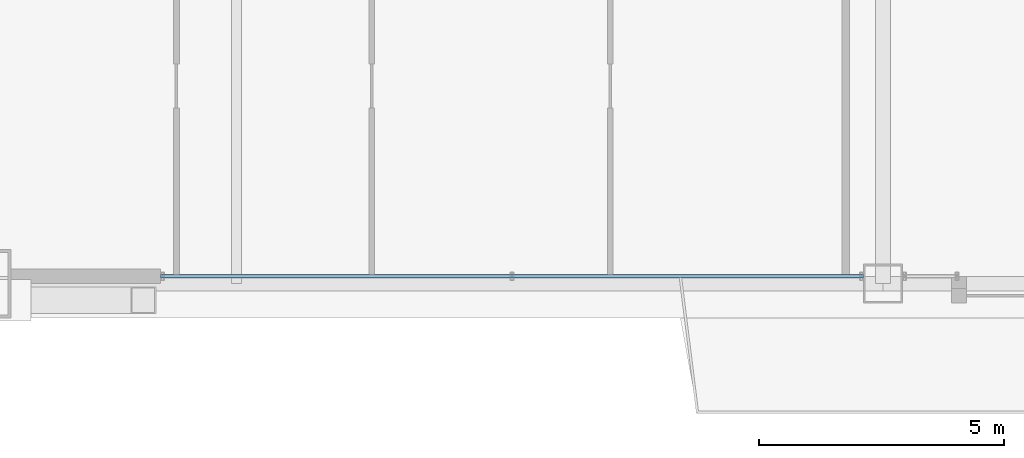
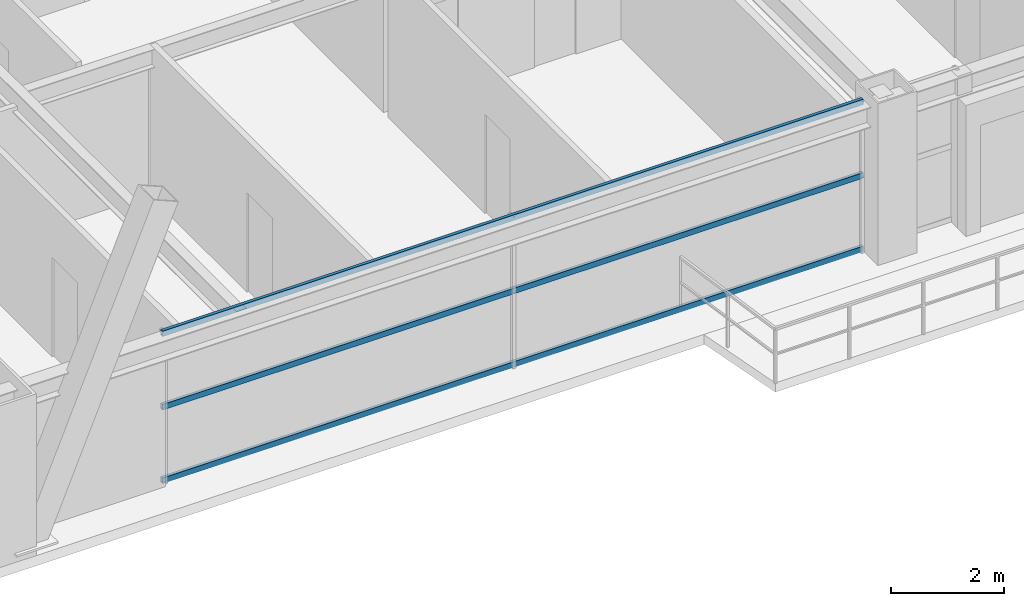
# One storey, part 7 of 45: 3 members, 1 element without a shape of its own.
"""IFC4 building model written with IfcOpenShell, lengths in metres."""

from ifc_helpers import new_model, si_unit, direction, frame, origin, origin_2d, place, context, subcontext, project, spatial, hollow_rectangle, extrude, source, transform, mapped, material, layer, layer_set, material_profile, profile_set, type_object, element, aggregate, save


model = new_model("IFC4")

# Units and contexts
model_context = context("Model", 3, precision=1e-05, world=origin(), true_north=direction((0.0, 1.0)))
body_context = subcontext(model_context, "Body", "Model", "MODEL_VIEW")
ifc_project = project(units=[si_unit("LENGTHUNIT", "METRE"), si_unit("AREAUNIT", "SQUARE_METRE"), si_unit("VOLUMEUNIT", "CUBIC_METRE"), si_unit("PLANEANGLEUNIT", "RADIAN"), si_unit("MASSUNIT", "GRAM", prefix="KILO"), si_unit("THERMODYNAMICTEMPERATUREUNIT", "KELVIN"), si_unit("POWERUNIT", "WATT")], contexts=[model_context])

# Site, building, storey
site_placement = place(None, origin())
site = spatial("IfcSite", under=ifc_project, at=site_placement, CompositionType="ELEMENT")
building_placement = place(site_placement, origin())
building = spatial("IfcBuilding", under=site, at=building_placement, Name="Yuzanri Waterfront Tower", CompositionType="ELEMENT")
storey_placement = place(building_placement, frame((0.0, 0.0, 198.5)))
storey = spatial("IfcBuildingStorey", under=building, at=storey_placement, Name="L52", CompositionType="ELEMENT", Elevation=198.5)

# Curtain wall, members
ifc_material_1 = material(Name="Anodized Architectural Bronze", Category="metal")
ifc_layer = layer(ifc_material_1, 0.159912109375)
ifc_layer_set = layer_set([ifc_layer], Name="Anodized Architectural Bronze")
curtain_wall_type = type_object("IfcCurtainWallType", Name="Anodized Bronze Mid-Rise Residential Acoustic Unitized Curtain Wall 7200", PredefinedType="NOTDEFINED", material=ifc_layer_set)
curtain_wall_placement = place(storey_placement, origin())
curtain_wall = element("IfcCurtainWall", 1, at=curtain_wall_placement, inside=storey, type_object=curtain_wall_type, Name="L52 Curtain Wall CW-L52-SL", PredefinedType="NOTDEFINED")
ifc_material_2 = material(Name="Anodized Architectural Bronze", Category="metal")
ifc_material_profile = material_profile(ifc_material_2, hollow_rectangle(XDim=0.06494140625, YDim=0.1201171875, WallThickness=0.00341796875, at=origin_2d()), Name="CWT 65x120")
ifc_profile_set = profile_set([ifc_material_profile], Name="Anodized Architectural Bronze")
member_type = type_object("IfcMemberType", Name="Anodized Bronze Secondary Curtain-Wall Transom 65x120", PredefinedType="USERDEFINED", material=ifc_profile_set)
shared_shape = source(origin(), body_context, "Body", "SweptSolid", [
    extrude(hollow_rectangle(XDim=0.06494140625, YDim=0.1201171875, WallThickness=0.00341796875, at=origin_2d()), origin(), (0.0, 0.0, 1.0), 14.35009765625),
])
member_1_placement = place(storey_placement, frame((22.25, 3.85009765625, 0.050048828125), z_axis=(1.0, 0.0, 0.0), x_axis=(0.0, 1.0, 0.0)))
member_1 = element("IfcMember", 2, at=member_1_placement, type_object=member_type, Name="CW-L52-SL Transom 1", ObjectType="TRANSOM", PredefinedType="USERDEFINED", context=body_context, shape_type="MappedRepresentation", body=[
    mapped(shared_shape, transform((0.0, 0.0, 0.0), scale=1.0)),
])
member_2_placement = place(storey_placement, frame((22.25, 3.85009765625, 1.639892578125), z_axis=(1.0, 0.0, 0.0), x_axis=(0.0, 1.0, 0.0)))
member_2 = element("IfcMember", 3, at=member_2_placement, type_object=member_type, Name="CW-L52-SL Transom 2", ObjectType="TRANSOM", PredefinedType="USERDEFINED", context=body_context, shape_type="MappedRepresentation", body=[
    mapped(shared_shape, transform((0.0, 0.0, 0.0), scale=1.0)),
])
member_3_placement = place(storey_placement, frame((22.25, 3.85009765625, 3.22998046875), z_axis=(1.0, 0.0, 0.0), x_axis=(0.0, 1.0, 0.0)))
member_3 = element("IfcMember", 4, at=member_3_placement, type_object=member_type, Name="CW-L52-SL Transom 3", ObjectType="TRANSOM", PredefinedType="USERDEFINED", context=body_context, shape_type="MappedRepresentation", body=[
    mapped(shared_shape, transform((0.0, 0.0, 0.0), scale=1.0)),
])
aggregate(curtain_wall, [member_1, member_2, member_3])

save(model, "model.ifc")
